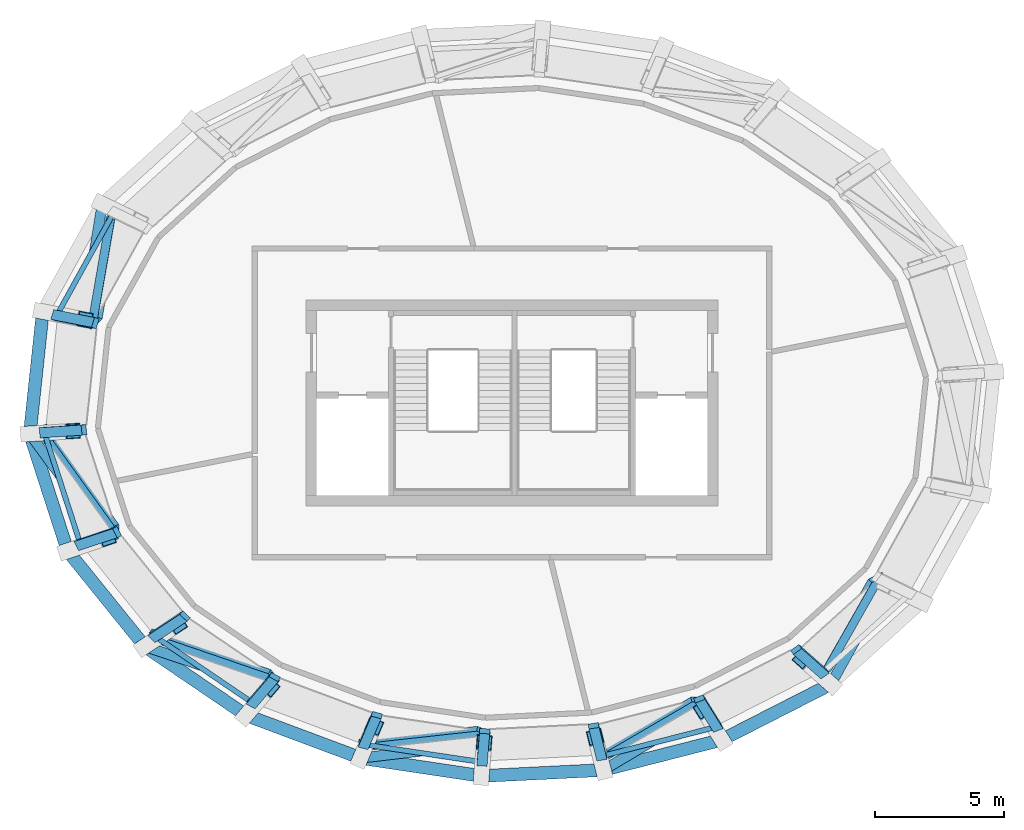
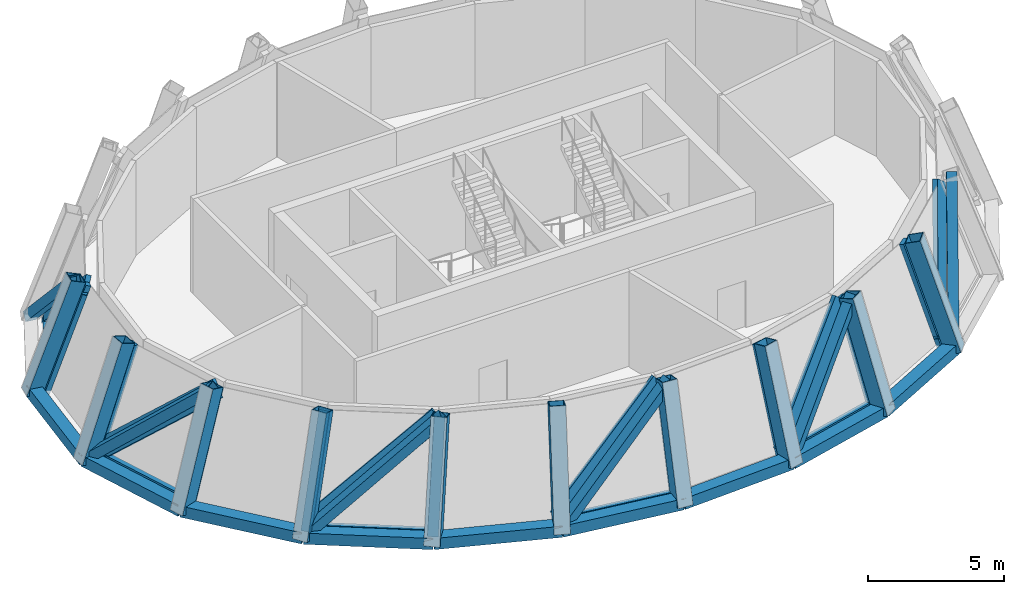
# One storey, part 1 of 6: 37 members, 9 beams, 1 element without a shape of its own.
"""IFC4 building model written with IfcOpenShell, lengths in metres."""

import ifcopenshell
import ifcopenshell.guid

model = None  # the IFC model being written
_history = None  # IfcOwnerHistory: only IFC2X3 demands one
_inside = {}  # id of a spatial element -> (the spatial element, [elements in it])
_under = {}  # id of a project, library or spatial element -> (it, [spatial elements below it])
_declared = {}  # id of a project -> (the project, [libraries it declares])
_typed = {}  # id of a type object -> (the type object, [elements of that type])
_made_of = {}  # id of a material, layer set ... -> (it, [elements and type objects made of it])


def new_model(schema):
    """Start an empty IFC model of exactly this schema.

    Asked for "IFC4X3", IfcOpenShell would pick the latest addendum, in which some entities
    have other attributes; the version numbers below select the first issue.
    IFC2X3 requires an IfcOwnerHistory on every rooted entity: one is made here for all.
    """
    global model, _history
    if schema == "IFC4X3":
        model = ifcopenshell.file(schema_version=(4, 3, 0, 0))
    else:
        model = ifcopenshell.file(schema=schema)
    _inside.clear()
    _under.clear()
    _declared.clear()
    _typed.clear()
    _made_of.clear()
    _history = None
    if model.schema == "IFC2X3":
        org = make("IfcOrganization", Name="unknown")
        user = make(
            "IfcPersonAndOrganization",
            ThePerson=make("IfcPerson", FamilyName="unknown"),
            TheOrganization=org,
        )
        app = make(
            "IfcApplication",
            ApplicationDeveloper=org,
            Version="unknown",
            ApplicationFullName="unknown",
            ApplicationIdentifier="unknown",
        )
        _history = make(
            "IfcOwnerHistory",
            OwningUser=user,
            OwningApplication=app,
            ChangeAction="ADDED",
            CreationDate=0,
        )
    return model


def make(cls, **values):
    """One entity of the class cls with the attributes given. An attribute that is None is left unset."""
    return model.create_entity(
        cls, **{name: value for name, value in values.items() if value is not None}
    )


def rooted(cls, **values):
    """An entity with a GlobalId (a new one), such as an element, a storey or a relation."""
    return make(cls, GlobalId=ifcopenshell.guid.new(), OwnerHistory=_history, **values)


def si_unit(unit_type, name, prefix=None):
    """IfcSIUnit, for example si_unit("LENGTHUNIT", "METRE", prefix="MILLI")."""
    return make("IfcSIUnit", UnitType=unit_type, Prefix=prefix, Name=name)


def assignment(units):
    """IfcUnitAssignment: the units of a project."""
    return None if units is None else make("IfcUnitAssignment", Units=units)


def point(xyz):
    """IfcCartesianPoint."""
    return None if xyz is None else make("IfcCartesianPoint", Coordinates=xyz)


def direction(xyz):
    """IfcDirection."""
    return None if xyz is None else make("IfcDirection", DirectionRatios=xyz)


def frame(location, z_axis=None, x_axis=None):
    """IfcAxis2Placement3D, a coordinate frame: its origin and axes. An axis left out is left unset."""
    return make(
        "IfcAxis2Placement3D",
        Location=point(location),
        Axis=direction(z_axis),
        RefDirection=direction(x_axis),
    )


def frame_2d(location, x_axis=None):
    """IfcAxis2Placement2D, a coordinate frame in the plane: its origin and x axis."""
    return make(
        "IfcAxis2Placement2D", Location=point(location), RefDirection=direction(x_axis)
    )


def origin():
    """The frame at (0, 0, 0) with its axes left unset."""
    return frame((0.0, 0.0, 0.0))


def origin_2d():
    """The frame at (0, 0) in the plane with its x axis left unset."""
    return frame_2d((0.0, 0.0))


def place(relative_to, where):
    """IfcLocalPlacement: puts the frame where relative to a parent placement (None: the world)."""
    return make(
        "IfcLocalPlacement", PlacementRelTo=relative_to, RelativePlacement=where
    )


def context(
    kind, dimensions, precision=None, world=None, true_north=None, identifier=None
):
    """IfcGeometricRepresentationContext, for example the 3D "Model" context."""
    return make(
        "IfcGeometricRepresentationContext",
        ContextIdentifier=identifier,
        ContextType=kind,
        CoordinateSpaceDimension=dimensions,
        Precision=precision,
        WorldCoordinateSystem=world,
        TrueNorth=true_north,
    )


def subcontext(parent, identifier, kind, view, scale=None):
    """IfcGeometricRepresentationSubContext, for example "Body" below "Model"."""
    return make(
        "IfcGeometricRepresentationSubContext",
        ContextIdentifier=identifier,
        ContextType=kind,
        ParentContext=parent,
        TargetScale=scale,
        TargetView=view,
    )


def project(units=None, contexts=None):
    """IfcProject with its units and contexts."""
    return rooted(
        "IfcProject",
        Name="project",
        RepresentationContexts=contexts,
        UnitsInContext=assignment(units),
    )


def spatial(cls, under=None, at=None, **own):
    """A site, building, storey or space (cls), placed at a placement, below another one or the project."""
    s = rooted(cls, ObjectPlacement=at, **own)
    if under is not None:
        _under.setdefault(under.id(), (under, []))[1].append(s)
    return s


def profile(cls, at=None, kind="AREA", **sizes):
    """A parametric profile (cls). Its sizes go by their IFC names, for example OverallWidth=200.0."""
    return make(cls, ProfileType=kind, Position=at, **sizes)


def rectangle(**sizes):
    """IfcRectangleProfileDef."""
    return profile("IfcRectangleProfileDef", **sizes)


def hollow_rectangle(**sizes):
    """IfcRectangleHollowProfileDef."""
    return profile("IfcRectangleHollowProfileDef", **sizes)


def extrude(swept, where, along, depth):
    """IfcExtrudedAreaSolid: the profile swept, set in the frame where, extruded along a direction by depth."""
    return make(
        "IfcExtrudedAreaSolid",
        SweptArea=swept,
        Position=where,
        ExtrudedDirection=direction(along),
        Depth=depth,
    )


def shape(context_of_items, identifier, shape_type, items):
    """IfcShapeRepresentation: the items that make up one representation, for example the "Body"."""
    return make(
        "IfcShapeRepresentation",
        ContextOfItems=context_of_items,
        RepresentationIdentifier=identifier,
        RepresentationType=shape_type,
        Items=items,
    )


def source(mapping_origin, context_of_items, identifier, shape_type, items):
    """IfcRepresentationMap: a shape defined once, which mapped items show again and again."""
    return make(
        "IfcRepresentationMap",
        MappingOrigin=mapping_origin,
        MappedRepresentation=shape(context_of_items, identifier, shape_type, items),
    )


def transform(
    local_origin,
    x_axis=None,
    y_axis=None,
    z_axis=None,
    scale=None,
    scale2=None,
    scale3=None,
    uniform=True,
):
    """IfcCartesianTransformationOperator3D, or its non-uniform kind. x_axis, y_axis, z_axis: its Axis1, 2, 3."""
    if uniform:
        return make(
            "IfcCartesianTransformationOperator3D",
            Axis1=direction(x_axis),
            Axis2=direction(y_axis),
            LocalOrigin=point(local_origin),
            Scale=scale,
            Axis3=direction(z_axis),
        )
    return make(
        "IfcCartesianTransformationOperator3DnonUniform",
        Axis1=direction(x_axis),
        Axis2=direction(y_axis),
        LocalOrigin=point(local_origin),
        Scale=scale,
        Axis3=direction(z_axis),
        Scale2=scale2,
        Scale3=scale3,
    )


def mapped(mapping_source, mapping_target):
    """IfcMappedItem: shows the shape of a source again, moved by a transform."""
    return make(
        "IfcMappedItem", MappingSource=mapping_source, MappingTarget=mapping_target
    )


def material(Name=None, Category=None):
    """IfcMaterial."""
    return make("IfcMaterial", Name=Name, Category=Category)


def material_profile(
    of_material, cross_section, Name=None, Category=None, Priority=None
):
    """IfcMaterialProfile: a cross section and its material."""
    return make(
        "IfcMaterialProfile",
        Name=Name,
        Material=of_material,
        Profile=cross_section,
        Priority=Priority,
        Category=Category,
    )


def profile_set(profiles, Name=None, composite=None):
    """IfcMaterialProfileSet."""
    return make(
        "IfcMaterialProfileSet",
        Name=Name,
        MaterialProfiles=profiles,
        CompositeProfile=composite,
    )


def made_of(thing, what):
    """Note that an element or type object is made of a material, layer set ...; save() writes the relation."""
    if what is not None:
        _made_of.setdefault(what.id(), (what, []))[1].append(thing)
    return thing


def type_object(cls, material=None, **own):
    """A type object (cls), such as IfcWallType, which elements share."""
    return made_of(rooted(cls, **own), material)


def element(
    cls,
    number,
    at=None,
    inside=None,
    cuts=None,
    type_object=None,
    material=None,
    context=None,
    identifier="Body",
    shape_type=None,
    held_by="IfcProductDefinitionShape",
    body=None,
    shapes=None,
    **own,
):
    """One element of the class cls, such as IfcWall. Its Tag is "e" and its number.

    at: its placement. inside: the storey or other place that contains it. cuts: it is an
    opening in that element (IfcRelVoidsElement). A single representation is given by context,
    identifier, shape_type and body (its items); several are given by shapes. held_by: the class
    of the entity that holds the representations. save() writes the other relations.
    """
    e = rooted(cls, Tag="e%d" % number, ObjectPlacement=at, **own)
    if body is not None:
        shapes = [shape(context, identifier, shape_type, body)]
    if shapes is not None:
        e.Representation = make(held_by, Representations=shapes)
    if inside is not None:
        _inside.setdefault(inside.id(), (inside, []))[1].append(e)
    if cuts is not None:
        rooted(
            "IfcRelVoidsElement", RelatingBuildingElement=cuts, RelatedOpeningElement=e
        )
    if type_object is not None:
        _typed.setdefault(type_object.id(), (type_object, []))[1].append(e)
    return made_of(e, material)


def aggregate(whole, parts):
    """IfcRelAggregates: a whole, such as a stair, and the parts it consists of."""
    return rooted("IfcRelAggregates", RelatingObject=whole, RelatedObjects=parts)


def save(model, path):
    """Write the relations noted so far, then the file.

    IfcRelAggregates (storeys below a building ...), IfcRelContainedInSpatialStructure (elements
    in a storey), IfcRelDefinesByType, IfcRelAssociatesMaterial and IfcRelDeclares: one each for
    every whole, place, type object, material and project.
    """
    for whole, parts in _under.values():
        aggregate(whole, parts)
    for where, things in _inside.values():
        rooted(
            "IfcRelContainedInSpatialStructure",
            RelatedElements=things,
            RelatingStructure=where,
        )
    for kind, things in _typed.values():
        rooted("IfcRelDefinesByType", RelatedObjects=things, RelatingType=kind)
    for what, things in _made_of.values():
        rooted("IfcRelAssociatesMaterial", RelatedObjects=things, RelatingMaterial=what)
    for by, libraries in _declared.values():
        rooted("IfcRelDeclares", RelatingContext=by, RelatedDefinitions=libraries)
    model.write(path)


model = new_model("IFC4")

# Units and contexts
model_context = context("Model", 3, precision=1e-05, world=origin(), true_north=direction((0.0, 1.0)))
body_context = subcontext(model_context, "Body", "Model", "MODEL_VIEW")
ifc_project = project(units=[si_unit("LENGTHUNIT", "METRE"), si_unit("AREAUNIT", "SQUARE_METRE"), si_unit("VOLUMEUNIT", "CUBIC_METRE"), si_unit("PLANEANGLEUNIT", "RADIAN"), si_unit("MASSUNIT", "GRAM", prefix="KILO")], contexts=[model_context])

# Site, building, storey
site_placement = place(None, origin())
site = spatial("IfcSite", under=ifc_project, at=site_placement, CompositionType="ELEMENT")
building_placement = place(site_placement, origin())
building = spatial("IfcBuilding", under=site, at=building_placement, Name="Embergate Tower", CompositionType="ELEMENT")
storey_placement = place(building_placement, frame((0.0, 0.0, 356.5)))
storey = spatial("IfcBuildingStorey", under=building, at=storey_placement, Name="L81", CompositionType="ELEMENT", Elevation=356.5)

# Beams
ifc_material_1 = material(Name="Steel Q355D", Category="steel")
ifc_material_profile_1 = material_profile(ifc_material_1, hollow_rectangle(XDim=0.5, YDim=0.5, WallThickness=0.02490234375, at=origin_2d()), Name="BOX 500x500x25")
ifc_profile_set_1 = profile_set([ifc_material_profile_1], Name="Steel Q355 grade D")
beam_type = type_object("IfcBeamType", Name="Glass point ring beam BOX 500x500x25", PredefinedType="BEAM", material=ifc_profile_set_1)
shared_shape_1 = source(origin(), body_context, "Body", "SweptSolid", [
    extrude(hollow_rectangle(XDim=0.5, YDim=0.5, WallThickness=0.02490234375, at=origin_2d()), origin(), (0.0, 0.0, 1.0), 4.781982421875),
])
beam_1_placement = place(storey_placement, frame((-18.75, -1.202880859375, 0.0), z_axis=(0.307606861836, -0.951513540919, 0.0), x_axis=(0.951513540919, 0.307606861836, 0.0)))
element("IfcBeam", 1, at=beam_1_placement, inside=storey, type_object=beam_type, Name="CRN-L81-RB11", PredefinedType="BEAM", context=body_context, shape_type="MappedRepresentation", body=[
    mapped(shared_shape_1, transform((0.0, 0.0, 0.0))),
])
shared_shape_2 = source(origin(), body_context, "Body", "SweptSolid", [
    extrude(hollow_rectangle(XDim=0.5, YDim=0.5, WallThickness=0.02490234375, at=origin_2d()), origin(), (0.0, 0.0, 1.0), 4.773193359375),
])
beam_2_placement = place(storey_placement, frame((-17.279052734375, -5.7529296875, 0.0), z_axis=(0.628107299291, -0.77812673812, 0.0), x_axis=(0.77812673812, 0.628107299291, 0.0)))
element("IfcBeam", 2, at=beam_2_placement, inside=storey, type_object=beam_type, Name="CRN-L81-RB12", PredefinedType="BEAM", context=body_context, shape_type="MappedRepresentation", body=[
    mapped(shared_shape_2, transform((0.0, 0.0, 0.0))),
])
shared_shape_3 = source(origin(), body_context, "Body", "SweptSolid", [
    extrude(hollow_rectangle(XDim=0.5, YDim=0.5, WallThickness=0.02490234375, at=origin_2d()), origin(), (0.0, 0.0, 1.0), 4.76171875),
])
beam_3_placement = place(storey_placement, frame((-14.281005859375, -9.467041015625, 0.0), z_axis=(0.827007551641, -0.562190812383, 0.0), x_axis=(0.562190812383, 0.827007551641, 0.0)))
element("IfcBeam", 3, at=beam_3_placement, inside=storey, type_object=beam_type, Name="CRN-L81-RB13", PredefinedType="BEAM", context=body_context, shape_type="MappedRepresentation", body=[
    mapped(shared_shape_3, transform((0.0, 0.0, 0.0))),
])
shared_shape_4 = source(origin(), body_context, "Body", "SweptSolid", [
    extrude(hollow_rectangle(XDim=0.5, YDim=0.5, WallThickness=0.02490234375, at=origin_2d()), origin(), (0.0, 0.0, 1.0), 4.75537109375),
])
beam_4_placement = place(storey_placement, frame((-10.343017578125, -12.14404296875, 0.0), z_axis=(0.936868203805, -0.349682668573, 0.0), x_axis=(0.349682668573, 0.936868203805, 0.0)))
element("IfcBeam", 4, at=beam_4_placement, inside=storey, type_object=beam_type, Name="CRN-L81-RB14", PredefinedType="BEAM", context=body_context, shape_type="MappedRepresentation", body=[
    mapped(shared_shape_4, transform((0.0, 0.0, 0.0))),
])
shared_shape_5 = source(origin(), body_context, "Body", "SweptSolid", [
    extrude(hollow_rectangle(XDim=0.5, YDim=0.5, WallThickness=0.02490234375, at=origin_2d()), origin(), (0.0, 0.0, 1.0), 4.7509765625),
])
beam_5_placement = place(storey_placement, frame((-5.887939453125, -13.806884765625, 0.0), z_axis=(0.989079501535, -0.147382969315, 0.0), x_axis=(0.147382969315, 0.989079501535, 0.0)))
element("IfcBeam", 5, at=beam_5_placement, inside=storey, type_object=beam_type, Name="CRN-L81-RB15", PredefinedType="BEAM", context=body_context, shape_type="MappedRepresentation", body=[
    mapped(shared_shape_5, transform((0.0, 0.0, 0.0))),
])
shared_shape_6 = source(origin(), body_context, "Body", "SweptSolid", [
    extrude(hollow_rectangle(XDim=0.5, YDim=0.5, WallThickness=0.02490234375, at=origin_2d()), origin(), (0.0, 0.0, 1.0), 4.74951171875),
])
beam_6_placement = place(storey_placement, frame((-1.18896484375, -14.507080078125, 0.0), z_axis=(0.998794407554, 0.04908901545, 0.0), x_axis=(-0.04908901545, 0.998794407554, 0.0)))
element("IfcBeam", 6, at=beam_6_placement, inside=storey, type_object=beam_type, Name="CRN-L81-RB16", PredefinedType="BEAM", context=body_context, shape_type="MappedRepresentation", body=[
    mapped(shared_shape_6, transform((0.0, 0.0, 0.0))),
])
shared_shape_7 = source(origin(), body_context, "Body", "SweptSolid", [
    extrude(hollow_rectangle(XDim=0.5, YDim=0.5, WallThickness=0.02490234375, at=origin_2d()), origin(), (0.0, 0.0, 1.0), 4.75244140625),
])
beam_7_placement = place(storey_placement, frame((3.554931640625, -14.27392578125, 0.0), z_axis=(0.968964850665, 0.247198539996, 0.0), x_axis=(-0.247198539996, 0.968964850665, 0.0)))
element("IfcBeam", 7, at=beam_7_placement, inside=storey, type_object=beam_type, Name="CRN-L81-RB17", PredefinedType="BEAM", context=body_context, shape_type="MappedRepresentation", body=[
    mapped(shared_shape_7, transform((0.0, 0.0, 0.0))),
])
shared_shape_8 = source(origin(), body_context, "Body", "SweptSolid", [
    extrude(hollow_rectangle(XDim=0.5, YDim=0.5, WallThickness=0.02490234375, at=origin_2d()), origin(), (0.0, 0.0, 1.0), 4.758056640625),
])
beam_8_placement = place(storey_placement, frame((8.159912109375, -13.09912109375, 0.0), z_axis=(0.890691913972, 0.454607428872, 0.0), x_axis=(-0.454607428872, 0.890691913972, 0.0)))
element("IfcBeam", 8, at=beam_8_placement, inside=storey, type_object=beam_type, Name="CRN-L81-RB18", PredefinedType="BEAM", context=body_context, shape_type="MappedRepresentation", body=[
    mapped(shared_shape_8, transform((0.0, 0.0, 0.0))),
])
shared_shape_9 = source(origin(), body_context, "Body", "SweptSolid", [
    extrude(hollow_rectangle(XDim=0.5, YDim=0.5, WallThickness=0.02490234375, at=origin_2d()), origin(), (0.0, 0.0, 1.0), 4.78369140625),
])
beam_9_placement = place(storey_placement, frame((-18.243896484375, 3.553955078125, 0.0), z_axis=(-0.10579786554, -0.994387656625, 0.0), x_axis=(0.994387656625, -0.10579786554, 0.0)))
element("IfcBeam", 9, at=beam_9_placement, inside=storey, type_object=beam_type, Name="CRN-L81-RB10", PredefinedType="BEAM", context=body_context, shape_type="MappedRepresentation", body=[
    mapped(shared_shape_9, transform((0.0, 0.0, 0.0))),
])

# Members
ifc_material_profile_2 = material_profile(ifc_material_1, hollow_rectangle(XDim=0.60009765625, YDim=0.60009765625, WallThickness=0.028076171875, at=origin_2d()), Name="BOX 600x600x28")
ifc_profile_set_2 = profile_set([ifc_material_profile_2], Name="Steel Q355 grade D")
member_type_1 = type_object("IfcMemberType", Name="Glass point hip BOX 600x600x28", PredefinedType="MEMBER", material=ifc_profile_set_2)
shared_shape_10 = source(origin(), body_context, "Body", "SweptSolid", [
    extrude(hollow_rectangle(XDim=0.60009765625, YDim=0.60009765625, WallThickness=0.028076171875, at=origin_2d()), origin(), (0.0, 0.0, 1.0), 5.087646484375),
])
member_1_placement = place(storey_placement, frame((-18.801025390625, -1.2060546875, -0.14111328125), z_axis=(0.340605686199, 0.021833697833, 0.93995268826), x_axis=(-0.063971265443, 0.997951740916, 0.0)))
element("IfcMember", 10, at=member_1_placement, inside=storey, type_object=member_type_1, Name="CRN-L81-HP11", PredefinedType="MEMBER", context=body_context, shape_type="MappedRepresentation", body=[
    mapped(shared_shape_10, transform((0.0, 0.0, 0.0))),
])
shared_shape_11 = source(origin(), body_context, "Body", "SweptSolid", [
    extrude(hollow_rectangle(XDim=0.60009765625, YDim=0.60009765625, WallThickness=0.028076171875, at=origin_2d()), origin(), (0.0, 0.0, 1.0), 5.069580078125),
])
member_2_placement = place(storey_placement, frame((-17.325927734375, -5.76904296875, -0.14111328125), z_axis=(0.314814073934, 0.104938024645, 0.943334569406), x_axis=(-0.316227766017, 0.948683298051, 0.0)))
element("IfcMember", 11, at=member_2_placement, inside=storey, type_object=member_type_1, Name="CRN-L81-HP12", PredefinedType="MEMBER", context=body_context, shape_type="MappedRepresentation", body=[
    mapped(shared_shape_11, transform((0.0, 0.0, 0.0))),
])
shared_shape_12 = source(origin(), body_context, "Body", "SweptSolid", [
    extrude(hollow_rectangle(XDim=0.60009765625, YDim=0.60009765625, WallThickness=0.028076171875, at=origin_2d()), origin(), (0.0, 0.0, 1.0), 5.03955078125),
])
member_3_placement = place(storey_placement, frame((-14.320068359375, -9.492919921875, -0.14208984375), z_axis=(0.261935388227, 0.173816196219, 0.949303840889), x_axis=(-0.552920820457, 0.833233800505, 0.0)))
element("IfcMember", 12, at=member_3_placement, inside=storey, type_object=member_type_1, Name="CRN-L81-HP13", PredefinedType="MEMBER", context=body_context, shape_type="MappedRepresentation", body=[
    mapped(shared_shape_12, transform((0.0, 0.0, 0.0))),
])
shared_shape_13 = source(origin(), body_context, "Body", "SweptSolid", [
    extrude(hollow_rectangle(XDim=0.60009765625, YDim=0.60009765625, WallThickness=0.028076171875, at=origin_2d()), origin(), (0.0, 0.0, 1.0), 5.0087890625),
])
member_4_placement = place(storey_placement, frame((-10.3720703125, -12.177978515625, -0.14306640625), z_axis=(0.191264183313, 0.22440884301, 0.955541042217), x_axis=(-0.761073955303, 0.648665117422, 0.0)))
element("IfcMember", 13, at=member_4_placement, inside=storey, type_object=member_type_1, Name="CRN-L81-HP14", PredefinedType="MEMBER", context=body_context, shape_type="MappedRepresentation", body=[
    mapped(shared_shape_13, transform((0.0, 0.0, 0.0))),
])
shared_shape_14 = source(origin(), body_context, "Body", "SweptSolid", [
    extrude(hollow_rectangle(XDim=0.60009765625, YDim=0.60009765625, WallThickness=0.028076171875, at=origin_2d()), origin(), (0.0, 0.0, 1.0), 4.985107421875),
])
member_5_placement = place(storey_placement, frame((-5.904052734375, -13.844970703125, -0.14404296875), z_axis=(0.109112507641, 0.256130347829, 0.960464317711), x_axis=(-0.919998139724, 0.39192272568, 0.0)))
element("IfcMember", 14, at=member_5_placement, inside=storey, type_object=member_type_1, Name="CRN-L81-HP15", PredefinedType="MEMBER", context=body_context, shape_type="MappedRepresentation", body=[
    mapped(shared_shape_14, transform((0.0, 0.0, 0.0))),
])
shared_shape_15 = source(origin(), body_context, "Body", "SweptSolid", [
    extrude(hollow_rectangle(XDim=0.60009765625, YDim=0.60009765625, WallThickness=0.028076171875, at=origin_2d()), origin(), (0.0, 0.0, 1.0), 4.9736328125),
])
member_6_placement = place(storey_placement, frame((-1.19189453125, -14.547119140625, -0.14404296875), z_axis=(0.022089469058, 0.269638785634, 0.962708149253), x_axis=(-0.996661152963, 0.081648920232, 0.0)))
element("IfcMember", 15, at=member_6_placement, inside=storey, type_object=member_type_1, Name="CRN-L81-HP16", PredefinedType="MEMBER", context=body_context, shape_type="MappedRepresentation", body=[
    mapped(shared_shape_15, transform((0.0, 0.0, 0.0))),
])
shared_shape_16 = source(origin(), body_context, "Body", "SweptSolid", [
    extrude(hollow_rectangle(XDim=0.60009765625, YDim=0.60009765625, WallThickness=0.028076171875, at=origin_2d()), origin(), (0.0, 0.0, 1.0), 4.977783203125),
])
member_7_placement = place(storey_placement, frame((3.56494140625, -14.31396484375, -0.14404296875), z_axis=(-0.066064037626, 0.265384192721, 0.961876693338), x_axis=(-0.970384645141, -0.24156498189, 0.0)))
element("IfcMember", 16, at=member_7_placement, inside=storey, type_object=member_type_1, Name="CRN-L81-HP17", PredefinedType="MEMBER", context=body_context, shape_type="MappedRepresentation", body=[
    mapped(shared_shape_16, transform((0.0, 0.0, 0.0))),
])
shared_shape_17 = source(origin(), body_context, "Body", "SweptSolid", [
    extrude(hollow_rectangle(XDim=0.60009765625, YDim=0.60009765625, WallThickness=0.028076171875, at=origin_2d()), origin(), (0.0, 0.0, 1.0), 4.996337890625),
])
member_8_placement = place(storey_placement, frame((8.18310546875, -13.135009765625, -0.14404296875), z_axis=(-0.151139231397, 0.242370057462, 0.958339025595), x_axis=(-0.848536082829, -0.529137521006, 0.0)))
element("IfcMember", 17, at=member_8_placement, inside=storey, type_object=member_type_1, Name="CRN-L81-HP18", PredefinedType="MEMBER", context=body_context, shape_type="MappedRepresentation", body=[
    mapped(shared_shape_17, transform((0.0, 0.0, 0.0))),
])
shared_shape_18 = source(origin(), body_context, "Body", "SweptSolid", [
    extrude(hollow_rectangle(XDim=0.60009765625, YDim=0.60009765625, WallThickness=0.028076171875, at=origin_2d()), origin(), (0.0, 0.0, 1.0), 5.024169921875),
])
member_9_placement = place(storey_placement, frame((12.431884765625, -10.966064453125, -0.14306640625), z_axis=(-0.228095770655, 0.201223814717, 0.952618126953), x_axis=(-0.661552945099, -0.749898460347, 0.0)))
element("IfcMember", 18, at=member_9_placement, inside=storey, type_object=member_type_1, Name="CRN-L81-HP19", PredefinedType="MEMBER", context=body_context, shape_type="MappedRepresentation", body=[
    mapped(shared_shape_18, transform((0.0, 0.0, 0.0))),
])
ifc_material_profile_3 = material_profile(ifc_material_1, hollow_rectangle(XDim=0.39990234375, YDim=0.39990234375, WallThickness=0.02197265625, at=origin_2d()), Name="BOX 400x400x22")
ifc_profile_set_3 = profile_set([ifc_material_profile_3], Name="Steel Q355 grade D")
member_type_2 = type_object("IfcMemberType", Name="Glass point brace BOX 400x400x22", PredefinedType="BRACE", material=ifc_profile_set_3)
shared_shape_19 = source(origin(), body_context, "Body", "SweptSolid", [
    extrude(hollow_rectangle(XDim=0.39990234375, YDim=0.39990234375, WallThickness=0.02197265625, at=origin_2d()), origin(), (0.0, 0.0, 1.0), 6.698486328125),
])
member_10_placement = place(storey_placement, frame((-15.9150390625, 7.840087890625, -0.10595703125), z_axis=(-0.113313654959, -0.70167722267, 0.703426677619), x_axis=(0.987210158259, -0.159424287452, 0.0)))
element("IfcMember", 19, at=member_10_placement, inside=storey, type_object=member_type_2, Name="CRN-L81-DG09", PredefinedType="BRACE", context=body_context, shape_type="MappedRepresentation", body=[
    mapped(shared_shape_19, transform((0.0, 0.0, 0.0))),
])
shared_shape_20 = source(origin(), body_context, "Body", "SweptSolid", [
    extrude(hollow_rectangle(XDim=0.60009765625, YDim=0.60009765625, WallThickness=0.028076171875, at=origin_2d()), origin(), (0.0, 0.0, 1.0), 5.081787109375),
])
member_11_placement = place(storey_placement, frame((-18.2939453125, 3.56396484375, -0.14111328125), z_axis=(0.331976722118, -0.06471384149, 0.941065127763), x_axis=(0.191333472675, 0.981525089967, 0.0)))
element("IfcMember", 20, at=member_11_placement, inside=storey, type_object=member_type_1, Name="CRN-L81-HP10", PredefinedType="MEMBER", context=body_context, shape_type="MappedRepresentation", body=[
    mapped(shared_shape_20, transform((0.0, 0.0, 0.0))),
])
shared_shape_21 = source(origin(), body_context, "Body", "SweptSolid", [
    extrude(hollow_rectangle(XDim=0.39990234375, YDim=0.39990234375, WallThickness=0.02197265625, at=origin_2d()), origin(), (0.0, 0.0, 1.0), 7.04443359375),
])
member_12_placement = place(storey_placement, frame((-18.81591796875, -1.113037109375, -0.10009765625), z_axis=(0.440764427283, -0.600462688089, 0.667211570534), x_axis=(0.80613273894, 0.591734743959, 0.0)))
element("IfcMember", 21, at=member_12_placement, inside=storey, type_object=member_type_2, Name="CRN-L81-DG11", PredefinedType="BRACE", context=body_context, shape_type="MappedRepresentation", body=[
    mapped(shared_shape_21, transform((0.0, 0.0, 0.0))),
])
shared_shape_22 = source(origin(), body_context, "Body", "SweptSolid", [
    extrude(hollow_rectangle(XDim=0.39990234375, YDim=0.39990234375, WallThickness=0.02197265625, at=origin_2d()), origin(), (0.0, 0.0, 1.0), 7.103759765625),
])
member_13_placement = place(storey_placement, frame((-14.387939453125, -9.430908203125, -0.09912109375), z_axis=(0.711176920767, -0.238342045403, 0.661377695996), x_axis=(0.317766926922, 0.948168856351, 0.0)))
element("IfcMember", 22, at=member_13_placement, inside=storey, type_object=member_type_2, Name="CRN-L81-DG13", PredefinedType="BRACE", context=body_context, shape_type="MappedRepresentation", body=[
    mapped(shared_shape_22, transform((0.0, 0.0, 0.0))),
])
shared_shape_23 = source(origin(), body_context, "Body", "SweptSolid", [
    extrude(hollow_rectangle(XDim=0.39990234375, YDim=0.39990234375, WallThickness=0.02197265625, at=origin_2d()), origin(), (0.0, 0.0, 1.0), 6.9052734375),
])
member_14_placement = place(storey_placement, frame((-5.9970703125, -13.820068359375, -0.10205078125), z_axis=(0.727117809932, 0.085029579543, 0.681226585713), x_axis=(-0.116149102965, 0.993231788597, 0.0)))
element("IfcMember", 23, at=member_14_placement, inside=storey, type_object=member_type_2, Name="CRN-L81-DG15", PredefinedType="BRACE", context=body_context, shape_type="MappedRepresentation", body=[
    mapped(shared_shape_23, transform((0.0, 0.0, 0.0))),
])
shared_shape_24 = source(origin(), body_context, "Body", "SweptSolid", [
    extrude(hollow_rectangle(XDim=0.39990234375, YDim=0.39990234375, WallThickness=0.02197265625, at=origin_2d()), origin(), (0.0, 0.0, 1.0), 6.68701171875),
])
member_15_placement = place(storey_placement, frame((3.462890625, -14.327880859375, -0.10595703125), z_axis=(0.61015975698, 0.362181952444, 0.704648355058), x_axis=(-0.510434131293, 0.859916855057, 0.0)))
element("IfcMember", 24, at=member_15_placement, inside=storey, type_object=member_type_2, Name="CRN-L81-DG17", PredefinedType="BRACE", context=body_context, shape_type="MappedRepresentation", body=[
    mapped(shared_shape_24, transform((0.0, 0.0, 0.0))),
])
shared_shape_25 = source(origin(), body_context, "Body", "SweptSolid", [
    extrude(hollow_rectangle(XDim=0.39990234375, YDim=0.39990234375, WallThickness=0.02197265625, at=origin_2d()), origin(), (0.0, 0.0, 1.0), 6.61376953125),
])
member_16_placement = place(storey_placement, frame((12.346923828125, -11.028076171875, -0.10693359375), z_axis=(0.340193924887, 0.613426936173, 0.712723991071), x_axis=(-0.874519449002, 0.484990446624, 0.0)))
element("IfcMember", 25, at=member_16_placement, inside=storey, type_object=member_type_2, Name="CRN-L81-DG19", PredefinedType="BRACE", context=body_context, shape_type="MappedRepresentation", body=[
    mapped(shared_shape_25, transform((0.0, 0.0, 0.0))),
])

# Curtain wall, members
ifc_material_2 = material(Name="Aluminium and glass", Category="aluminium")
curtain_wall_type = type_object("IfcCurtainWallType", Name="Crown facet glazing", PredefinedType="NOTDEFINED", material=ifc_material_2)
curtain_wall_placement = place(storey_placement, origin())
curtain_wall = element("IfcCurtainWall", 26, at=curtain_wall_placement, inside=storey, type_object=curtain_wall_type, Name="Crown facet glazing L81", ObjectType="CROWN FACET GLAZING", PredefinedType="USERDEFINED")
ifc_material_3 = material(Name="Aluminium, thermally broken", Category="aluminium")
ifc_material_profile_4 = material_profile(ifc_material_3, rectangle(XDim=0.199951171875, YDim=0.39990234375, at=origin_2d()), Name="AL 400x200")
ifc_profile_set_4 = profile_set([ifc_material_profile_4], Name="Aluminium, thermally broken")
member_type_3 = type_object("IfcMemberType", Name="Crown hip mullion", PredefinedType="MULLION", material=ifc_profile_set_4)
shared_shape_26 = source(origin(), body_context, "Body", "SweptSolid", [
    extrude(rectangle(XDim=0.199951171875, YDim=0.39990234375, at=origin_2d()), origin(), (0.0, 0.0, 1.0), 4.78759765625),
])
member_17_placement = place(storey_placement, frame((-18.273193359375, -1.153564453125, -0.173828125), z_axis=(0.340645264756, 0.021927764049, 0.939936155685), x_axis=(-0.93498524233, -0.097166141544, 0.341117776673)))
member_17 = element("IfcMember", 27, at=member_17_placement, type_object=member_type_3, Name="CW hip 12", PredefinedType="MULLION", context=body_context, shape_type="MappedRepresentation", body=[
    mapped(shared_shape_26, transform((0.0, 0.0, 0.0))),
])
shared_shape_27 = source(origin(), body_context, "Body", "SweptSolid", [
    extrude(rectangle(XDim=0.199951171875, YDim=0.39990234375, at=origin_2d()), origin(), (0.0, 0.0, 1.0), 4.7705078125),
])
member_18_placement = place(storey_placement, frame((-16.857421875, -5.5244140625, -0.166259765625), z_axis=(0.314900471861, 0.104813288863, 0.943319599764), x_axis=(-0.830809349074, -0.450105836545, 0.327353877935)))
member_18 = element("IfcMember", 28, at=member_18_placement, type_object=member_type_3, Name="CW hip 13", PredefinedType="MULLION", context=body_context, shape_type="MappedRepresentation", body=[
    mapped(shared_shape_27, transform((0.0, 0.0, 0.0))),
])
shared_shape_28 = source(origin(), body_context, "Body", "SweptSolid", [
    extrude(rectangle(XDim=0.199951171875, YDim=0.39990234375, at=origin_2d()), origin(), (0.0, 0.0, 1.0), 4.740478515625),
])
member_19_placement = place(storey_placement, frame((-13.95556640625, -9.11328125, -0.154541015625), z_axis=(0.262039426344, 0.173817426083, 0.949274902982), x_axis=(-0.644656782956, -0.700465776674, 0.306211247176)))
member_19 = element("IfcMember", 29, at=member_19_placement, type_object=member_type_3, Name="CW hip 14", PredefinedType="MULLION", context=body_context, shape_type="MappedRepresentation", body=[
    mapped(shared_shape_28, transform((0.0, 0.0, 0.0))),
])
shared_shape_29 = source(origin(), body_context, "Body", "SweptSolid", [
    extrude(rectangle(XDim=0.199951171875, YDim=0.39990234375, at=origin_2d()), origin(), (0.0, 0.0, 1.0), 4.708984375),
])
member_20_placement = place(storey_placement, frame((-10.12158203125, -11.7158203125, -0.144775390625), z_axis=(0.191100052867, 0.224280745714, 0.955603953998), x_axis=(-0.439505489419, -0.850949743295, 0.287609907959)))
member_20 = element("IfcMember", 30, at=member_20_placement, type_object=member_type_3, Name="CW hip 15", PredefinedType="MULLION", context=body_context, shape_type="MappedRepresentation", body=[
    mapped(shared_shape_29, transform((0.0, 0.0, 0.0))),
])
shared_shape_30 = source(origin(), body_context, "Body", "SweptSolid", [
    extrude(rectangle(XDim=0.199951171875, YDim=0.39990234375, at=origin_2d()), origin(), (0.0, 0.0, 1.0), 4.685546875),
])
member_21_placement = place(storey_placement, frame((-5.767333984375, -13.339111328125, -0.138671875), z_axis=(0.109264316829, 0.256304804236, 0.960400518739), x_axis=(-0.240091350334, -0.930773024781, 0.275713111466)))
member_21 = element("IfcMember", 31, at=member_21_placement, type_object=member_type_3, Name="CW hip 16", PredefinedType="MULLION", context=body_context, shape_type="MappedRepresentation", body=[
    mapped(shared_shape_30, transform((0.0, 0.0, 0.0))),
])
shared_shape_31 = source(origin(), body_context, "Body", "SweptSolid", [
    extrude(rectangle(XDim=0.199951171875, YDim=0.39990234375, at=origin_2d()), origin(), (0.0, 0.0, 1.0), 4.674560546875),
])
member_22_placement = place(storey_placement, frame((-1.1650390625, -14.024169921875, -0.135986328125), z_axis=(0.022249228347, 0.269758836647, 0.962670837768), x_axis=(-0.047520507897, -0.961535471325, 0.270538978177)))
member_22 = element("IfcMember", 32, at=member_22_placement, type_object=member_type_3, Name="CW hip 17", PredefinedType="MULLION", context=body_context, shape_type="MappedRepresentation", body=[
    mapped(shared_shape_31, transform((0.0, 0.0, 0.0))),
])
shared_shape_32 = source(origin(), body_context, "Body", "SweptSolid", [
    extrude(rectangle(XDim=0.199951171875, YDim=0.39990234375, at=origin_2d()), origin(), (0.0, 0.0, 1.0), 4.67822265625),
])
member_23_placement = place(storey_placement, frame((3.483154296875, -13.7958984375, -0.13671875), z_axis=(-0.066068617718, 0.265266022007, 0.961908974551), x_axis=(0.143268519749, -0.951504620227, 0.272237192416)))
member_23 = element("IfcMember", 33, at=member_23_placement, type_object=member_type_3, Name="CW hip 18", PredefinedType="MULLION", context=body_context, shape_type="MappedRepresentation", body=[
    mapped(shared_shape_32, transform((0.0, 0.0, 0.0))),
])
shared_shape_33 = source(origin(), body_context, "Body", "SweptSolid", [
    extrude(rectangle(XDim=0.199951171875, YDim=0.39990234375, at=origin_2d()), origin(), (0.0, 0.0, 1.0), 4.69580078125),
])
member_24_placement = place(storey_placement, frame((7.98974609375, -12.6474609375, -0.14111328125), z_axis=(-0.150983320563, 0.242592346332, 0.958307356965), x_axis=(0.338654666555, -0.898065484315, 0.280698063232)))
member_24 = element("IfcMember", 34, at=member_24_placement, type_object=member_type_3, Name="CW hip 19", PredefinedType="MULLION", context=body_context, shape_type="MappedRepresentation", body=[
    mapped(shared_shape_33, transform((0.0, 0.0, 0.0))),
])
shared_shape_34 = source(origin(), body_context, "Body", "SweptSolid", [
    extrude(rectangle(XDim=0.199951171875, YDim=0.39990234375, at=origin_2d()), origin(), (0.0, 0.0, 1.0), 4.72412109375),
])
member_25_placement = place(storey_placement, frame((12.124755859375, -10.53955078125, -0.149169921875), z_axis=(-0.228220648978, 0.201295160274, 0.952573143559), x_axis=(0.542215302449, -0.786347517677, 0.296074563638)))
member_25 = element("IfcMember", 35, at=member_25_placement, type_object=member_type_3, Name="CW hip 20", PredefinedType="MULLION", context=body_context, shape_type="MappedRepresentation", body=[
    mapped(shared_shape_34, transform((0.0, 0.0, 0.0))),
])
ifc_material_profile_5 = material_profile(ifc_material_3, rectangle(XDim=0.199951171875, YDim=0.139892578125, at=origin_2d()), Name="AL 140x200")
ifc_profile_set_5 = profile_set([ifc_material_profile_5], Name="Aluminium, thermally broken")
member_type_4 = type_object("IfcMemberType", Name="Crown facet transom", PredefinedType="USERDEFINED", material=ifc_profile_set_5)
shared_shape_35 = source(origin(), body_context, "Body", "SweptSolid", [
    extrude(rectangle(XDim=0.199951171875, YDim=0.139892578125, at=origin_2d()), origin(), (0.0, 0.0, 1.0), 4.3564453125),
])
member_26_placement = place(storey_placement, frame((-15.54345703125, 7.29638671875, 0.070068359375), z_axis=(-0.483928994455, -0.875107266754, 0.0), x_axis=(0.875107266754, -0.483928994455, 0.0)))
member_26 = element("IfcMember", 36, at=member_26_placement, type_object=member_type_4, Name="CW transom 10.1", ObjectType="TRANSOM", PredefinedType="USERDEFINED", context=body_context, shape_type="MappedRepresentation", body=[
    mapped(shared_shape_35, transform((0.0, 0.0, 0.0))),
])
ifc_material_profile_6 = material_profile(ifc_material_3, rectangle(XDim=0.199951171875, YDim=0.760009765625, at=origin_2d()), Name="AL 760x200")
ifc_profile_set_6 = profile_set([ifc_material_profile_6], Name="Aluminium, thermally broken")
member_type_5 = type_object("IfcMemberType", Name="Crown diagonal cover mullion", PredefinedType="MULLION", material=ifc_profile_set_6)
shared_shape_36 = source(origin(), body_context, "Body", "SweptSolid", [
    extrude(rectangle(XDim=0.199951171875, YDim=0.760009765625, at=origin_2d()), origin(), (0.0, 0.0, 1.0), 6.0341796875),
])
member_27_placement = place(storey_placement, frame((-15.48291015625, 7.396484375, 0.0830078125), z_axis=(-0.123484723783, -0.711776953076, 0.691465900868), x_axis=(-0.828085634126, 0.457881383274, 0.323448328801)))
member_27 = element("IfcMember", 37, at=member_27_placement, type_object=member_type_5, Name="CW diagonal mullion 10", PredefinedType="MULLION", context=body_context, shape_type="MappedRepresentation", body=[
    mapped(shared_shape_36, transform((0.0, 0.0, 0.0))),
])
shared_shape_37 = source(origin(), body_context, "Body", "SweptSolid", [
    extrude(rectangle(XDim=0.199951171875, YDim=0.39990234375, at=origin_2d()), origin(), (0.0, 0.0, 1.0), 4.781494140625),
])
member_28_placement = place(storey_placement, frame((-17.786865234375, 3.40966796875, -0.171142578125), z_axis=(0.331878361304, -0.06463969314, 0.941104916239), x_axis=(-0.898014942804, 0.283820715388, 0.336176983176)))
member_28 = element("IfcMember", 38, at=member_28_placement, type_object=member_type_3, Name="CW hip 11", PredefinedType="MULLION", context=body_context, shape_type="MappedRepresentation", body=[
    mapped(shared_shape_37, transform((0.0, 0.0, 0.0))),
])
shared_shape_38 = source(origin(), body_context, "Body", "SweptSolid", [
    extrude(rectangle(XDim=0.199951171875, YDim=0.139892578125, at=origin_2d()), origin(), (0.0, 0.0, 1.0), 4.360107421875),
])
member_29_placement = place(storey_placement, frame((-18.154296875, -1.24267578125, 0.070068359375), z_axis=(0.307630943361, -0.951505755467, 0.0), x_axis=(0.951505755467, 0.307630943361, 0.0)))
member_29 = element("IfcMember", 39, at=member_29_placement, type_object=member_type_4, Name="CW transom 12.1", ObjectType="TRANSOM", PredefinedType="USERDEFINED", context=body_context, shape_type="MappedRepresentation", body=[
    mapped(shared_shape_38, transform((0.0, 0.0, 0.0))),
])
shared_shape_39 = source(origin(), body_context, "Body", "SweptSolid", [
    extrude(rectangle(XDim=0.199951171875, YDim=0.760009765625, at=origin_2d()), origin(), (0.0, 0.0, 1.0), 6.37060546875),
])
member_30_placement = place(storey_placement, frame((-18.188232421875, -1.127685546875, 0.07861328125), z_axis=(0.440630306566, -0.613195819739, 0.65561865409), x_axis=(-0.897589134921, -0.290078532758, 0.331946064452)))
member_30 = element("IfcMember", 40, at=member_30_placement, type_object=member_type_5, Name="CW diagonal mullion 12", PredefinedType="MULLION", context=body_context, shape_type="MappedRepresentation", body=[
    mapped(shared_shape_39, transform((0.0, 0.0, 0.0))),
])
shared_shape_40 = source(origin(), body_context, "Body", "SweptSolid", [
    extrude(rectangle(XDim=0.199951171875, YDim=0.139892578125, at=origin_2d()), origin(), (0.0, 0.0, 1.0), 4.342041015625),
])
member_31_placement = place(storey_placement, frame((-13.787109375, -9.144287109375, 0.070068359375), z_axis=(0.826990290677, -0.562216203187, 0.0), x_axis=(0.562216203187, 0.826990290677, 0.0)))
member_31 = element("IfcMember", 41, at=member_31_placement, type_object=member_type_4, Name="CW transom 14.1", ObjectType="TRANSOM", PredefinedType="USERDEFINED", context=body_context, shape_type="MappedRepresentation", body=[
    mapped(shared_shape_40, transform((0.0, 0.0, 0.0))),
])
shared_shape_41 = source(origin(), body_context, "Body", "SweptSolid", [
    extrude(rectangle(XDim=0.199951171875, YDim=0.760009765625, at=origin_2d()), origin(), (0.0, 0.0, 1.0), 6.444580078125),
])
member_32_placement = place(storey_placement, frame((-13.8857421875, -9.074462890625, 0.078125), z_axis=(0.717686268497, -0.246502219536, 0.651278032621), x_axis=(-0.537536500664, -0.790666980008, 0.293087422415)))
member_32 = element("IfcMember", 42, at=member_32_placement, type_object=member_type_5, Name="CW diagonal mullion 14", PredefinedType="MULLION", context=body_context, shape_type="MappedRepresentation", body=[
    mapped(shared_shape_41, transform((0.0, 0.0, 0.0))),
])
shared_shape_42 = source(origin(), body_context, "Body", "SweptSolid", [
    extrude(rectangle(XDim=0.199951171875, YDim=0.139892578125, at=origin_2d()), origin(), (0.0, 0.0, 1.0), 4.332275390625),
])
member_33_placement = place(storey_placement, frame((-5.595947265625, -13.3056640625, 0.070068359375), z_axis=(0.989090003175, -0.147312476115, 0.0), x_axis=(0.147312476115, 0.989090003175, 0.0)))
member_33 = element("IfcMember", 43, at=member_33_placement, type_object=member_type_4, Name="CW transom 16.1", ObjectType="TRANSOM", PredefinedType="USERDEFINED", context=body_context, shape_type="MappedRepresentation", body=[
    mapped(shared_shape_42, transform((0.0, 0.0, 0.0))),
])
shared_shape_43 = source(origin(), body_context, "Body", "SweptSolid", [
    extrude(rectangle(XDim=0.199951171875, YDim=0.760009765625, at=origin_2d()), origin(), (0.0, 0.0, 1.0), 6.259765625),
])
member_34_placement = place(storey_placement, frame((-5.71337890625, -13.28515625, 0.08056640625), z_axis=(0.736572281111, 0.080771004669, 0.671518666534), x_axis=(-0.14192567615, -0.952281615837, 0.270216258925)))
member_34 = element("IfcMember", 44, at=member_34_placement, type_object=member_type_5, Name="CW diagonal mullion 16", PredefinedType="MULLION", context=body_context, shape_type="MappedRepresentation", body=[
    mapped(shared_shape_43, transform((0.0, 0.0, 0.0))),
])
shared_shape_44 = source(origin(), body_context, "Body", "SweptSolid", [
    extrude(rectangle(XDim=0.199951171875, YDim=0.139892578125, at=origin_2d()), origin(), (0.0, 0.0, 1.0), 4.33349609375),
])
member_35_placement = place(storey_placement, frame((3.61572265625, -13.701416015625, 0.070068359375), z_axis=(0.968961367837, 0.247212191527, 0.0), x_axis=(-0.247212191527, 0.968961367837, 0.0)))
member_35 = element("IfcMember", 45, at=member_35_placement, type_object=member_type_4, Name="CW transom 18.1", ObjectType="TRANSOM", PredefinedType="USERDEFINED", context=body_context, shape_type="MappedRepresentation", body=[
    mapped(shared_shape_44, transform((0.0, 0.0, 0.0))),
])
shared_shape_45 = source(origin(), body_context, "Body", "SweptSolid", [
    extrude(rectangle(XDim=0.199951171875, YDim=0.760009765625, at=origin_2d()), origin(), (0.0, 0.0, 1.0), 6.042724609375),
])
member_36_placement = place(storey_placement, frame((3.501220703125, -13.726806640625, 0.083251953125), z_axis=(0.621621208904, 0.362282424297, 0.694505952233), x_axis=(0.237780411457, -0.932056042294, 0.273371560243)))
member_36 = element("IfcMember", 46, at=member_36_placement, type_object=member_type_5, Name="CW diagonal mullion 18", PredefinedType="MULLION", context=body_context, shape_type="MappedRepresentation", body=[
    mapped(shared_shape_45, transform((0.0, 0.0, 0.0))),
])
shared_shape_46 = source(origin(), body_context, "Body", "SweptSolid", [
    extrude(rectangle(XDim=0.199951171875, YDim=0.760009765625, at=origin_2d()), origin(), (0.0, 0.0, 1.0), 5.959716796875),
])
member_37_placement = place(storey_placement, frame((12.083984375, -10.4765625, 0.084228515625), z_axis=(0.352347502267, 0.619567913531, 0.701417734427), x_axis=(0.639842070328, -0.706432282475, 0.302581485414)))
member_37 = element("IfcMember", 47, at=member_37_placement, type_object=member_type_5, Name="CW diagonal mullion 20", PredefinedType="MULLION", context=body_context, shape_type="MappedRepresentation", body=[
    mapped(shared_shape_46, transform((0.0, 0.0, 0.0))),
])
aggregate(curtain_wall, [member_26, member_27, member_28, member_17, member_29, member_30, member_18, member_19, member_31, member_32, member_20, member_21, member_33, member_34, member_22, member_23, member_35, member_36, member_24, member_25, member_37])

save(model, "model.ifc")
